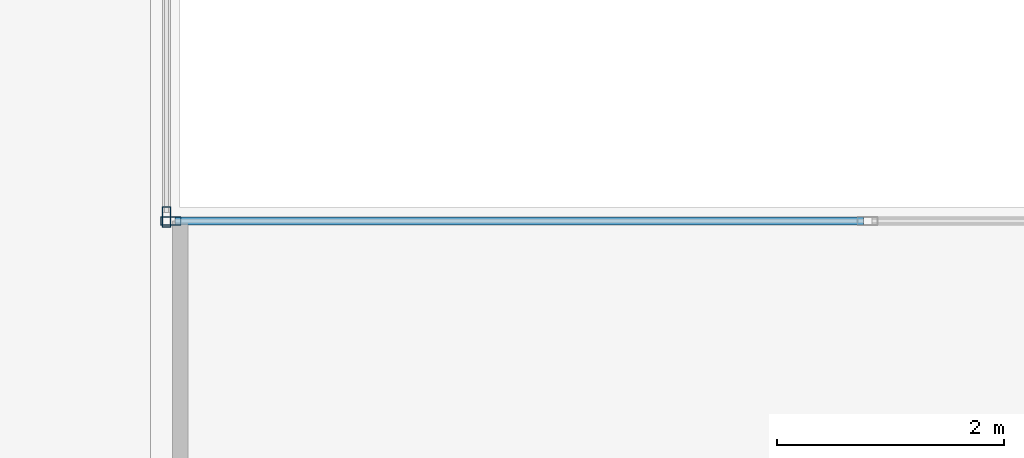
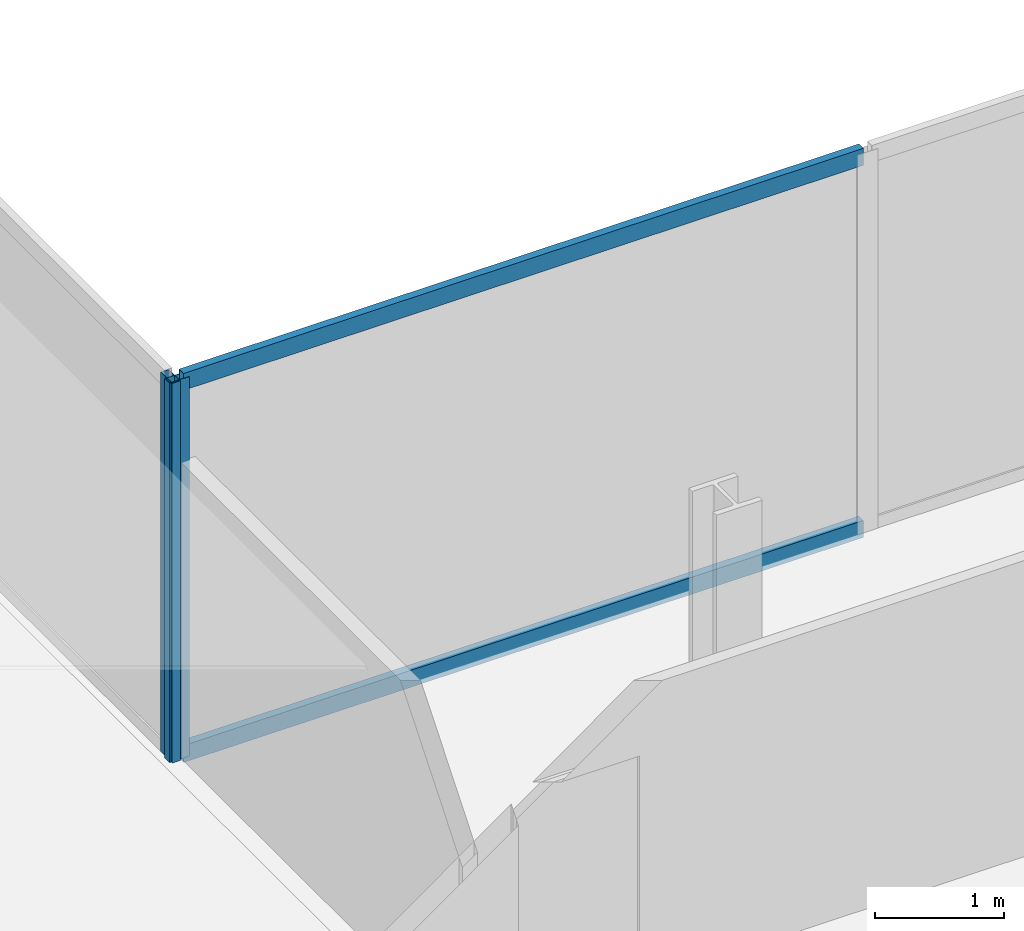
# One storey, part 7 of 23: 4 members, 2 elements without a shape of their own.
"""IFC4 building model written with IfcOpenShell, lengths in metres."""

from ifc_helpers import new_model, si_unit, direction, frame, origin, origin_2d, place, context, subcontext, project, spatial, hollow_rectangle, extrude, material, material_profile, profile_set, type_object, element, aggregate, save


model = new_model("IFC4")

# Units and contexts
model_context = context("Model", 3, precision=1e-05, world=origin(), true_north=direction((0.0, 1.0)))
body_context = subcontext(model_context, "Body", "Model", "MODEL_VIEW")
ifc_project = project(units=[si_unit("LENGTHUNIT", "METRE"), si_unit("AREAUNIT", "SQUARE_METRE"), si_unit("VOLUMEUNIT", "CUBIC_METRE"), si_unit("PLANEANGLEUNIT", "RADIAN"), si_unit("MASSUNIT", "GRAM", prefix="KILO")], contexts=[model_context])

# Site, building, storey
site_placement = place(None, origin())
site = spatial("IfcSite", under=ifc_project, at=site_placement, CompositionType="ELEMENT")
building_placement = place(site_placement, origin())
building = spatial("IfcBuilding", under=site, at=building_placement, Name="Cobrela Telecom Tower", CompositionType="ELEMENT")
storey_placement = place(building_placement, frame((0.0, 0.0, 102.199951171875)))
storey = spatial("IfcBuildingStorey", under=building, at=storey_placement, Name="L25", CompositionType="ELEMENT", Elevation=102.199951171875)

# Curtain wall, member
ifc_material = material(Name="Anodized Bronze Aluminium 6063-T6", Category="aluminium")
curtain_wall_type = type_object("IfcCurtainWallType", Name="CW-SYS-TEL", PredefinedType="USERDEFINED", material=ifc_material)
curtain_wall_1_placement = place(storey_placement, origin())
curtain_wall_1 = element("IfcCurtainWall", 1, at=curtain_wall_1_placement, inside=storey, type_object=curtain_wall_type, Name="L25 Unitised Bronze Curtain Wall 10", ObjectType="UNITISED CURTAIN WALL", PredefinedType="USERDEFINED")
ifc_material_profile_1 = material_profile(ifc_material, hollow_rectangle(XDim=0.074951171875, YDim=0.179931640625, WallThickness=0.00390625, at=origin_2d()), Name="ALU 75x180x4")
ifc_profile_set_1 = profile_set([ifc_material_profile_1], Name="Anodized Bronze Aluminium 6063-T6")
member_type_1 = type_object("IfcMemberType", Name="CW-SYS-TEL-MUL", PredefinedType="MULLION", material=ifc_profile_set_1)
member_1_placement = place(storey_placement, frame((25.8798828125, 25.117431640625, 0.0), z_axis=(0.0, 0.0, 1.0), x_axis=(1.0, 0.0, 0.0)))
member_1 = element("IfcMember", 2, at=member_1_placement, type_object=member_type_1, Name="CW-TEL mullion 3", PredefinedType="MULLION", context=body_context, shape_type="SweptSolid", body=[
    extrude(hollow_rectangle(XDim=0.074951171875, YDim=0.179931640625, WallThickness=0.00390625, at=origin_2d()), origin(), (0.0, 0.0, 1.0), 3.580078125),
])
aggregate(curtain_wall_1, [member_1])

# Curtain wall, members
curtain_wall_2_placement = place(storey_placement, origin())
curtain_wall_2 = element("IfcCurtainWall", 3, at=curtain_wall_2_placement, inside=storey, type_object=curtain_wall_type, Name="L25 Unitised Bronze Curtain Wall 11", ObjectType="UNITISED CURTAIN WALL", PredefinedType="USERDEFINED")
member_2_placement = place(storey_placement, frame((25.91748046875, 25.080078125, 0.0), z_axis=(0.0, 0.0, 1.0), x_axis=(0.0, 1.0, 0.0)))
member_2 = element("IfcMember", 4, at=member_2_placement, type_object=member_type_1, Name="CW-TEL mullion 1", PredefinedType="MULLION", context=body_context, shape_type="SweptSolid", body=[
    extrude(hollow_rectangle(XDim=0.074951171875, YDim=0.179931640625, WallThickness=0.00390625, at=origin_2d()), origin(), (0.0, 0.0, 1.0), 3.580078125),
])
ifc_material_profile_2 = material_profile(ifc_material, hollow_rectangle(XDim=0.070068359375, YDim=0.159912109375, WallThickness=0.00390625, at=origin_2d()), Name="ALU 70x160x4")
ifc_profile_set_2 = profile_set([ifc_material_profile_2], Name="Anodized Bronze Aluminium 6063-T6")
member_type_2 = type_object("IfcMemberType", Name="CW-SYS-TEL-TRN", PredefinedType="USERDEFINED", material=ifc_profile_set_2)
member_3_placement = place(storey_placement, frame((25.955078125, 25.080078125, 0.03515625), z_axis=(1.0, 0.0, 0.0), x_axis=(0.0, 1.0, 0.0)))
member_3 = element("IfcMember", 5, at=member_3_placement, type_object=member_type_2, Name="CW-TEL transom 1.1", ObjectType="TRANSOM", PredefinedType="USERDEFINED", context=body_context, shape_type="SweptSolid", body=[
    extrude(hollow_rectangle(XDim=0.070068359375, YDim=0.159912109375, WallThickness=0.00390625, at=origin_2d()), origin(), (0.0, 0.0, 1.0), 6.064208984375),
])
member_4_placement = place(storey_placement, frame((25.955078125, 25.080078125, 3.545166015625), z_axis=(1.0, 0.0, 0.0), x_axis=(0.0, 1.0, 0.0)))
member_4 = element("IfcMember", 6, at=member_4_placement, type_object=member_type_2, Name="CW-TEL transom 1.2", ObjectType="TRANSOM", PredefinedType="USERDEFINED", context=body_context, shape_type="SweptSolid", body=[
    extrude(hollow_rectangle(XDim=0.070068359375, YDim=0.159912109375, WallThickness=0.00390625, at=origin_2d()), origin(), (0.0, 0.0, 1.0), 6.064208984375),
])
aggregate(curtain_wall_2, [member_2, member_3, member_4])

save(model, "model.ifc")
